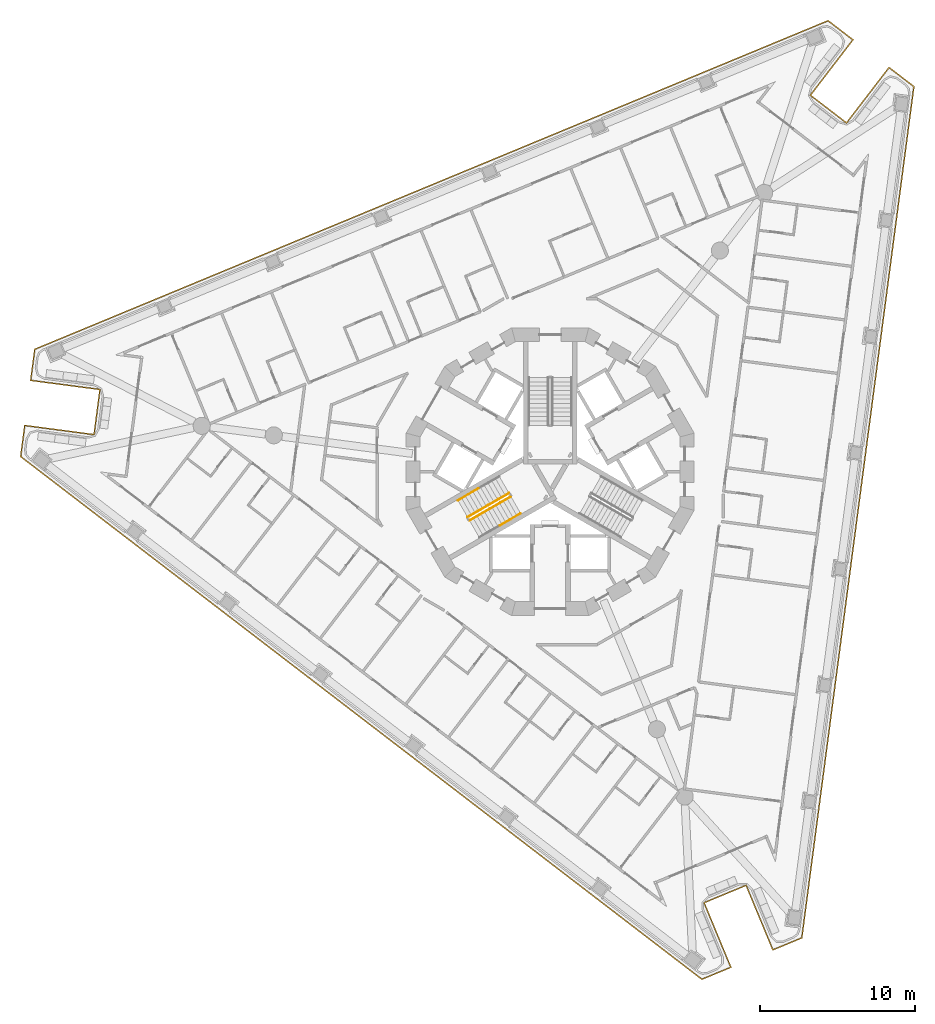
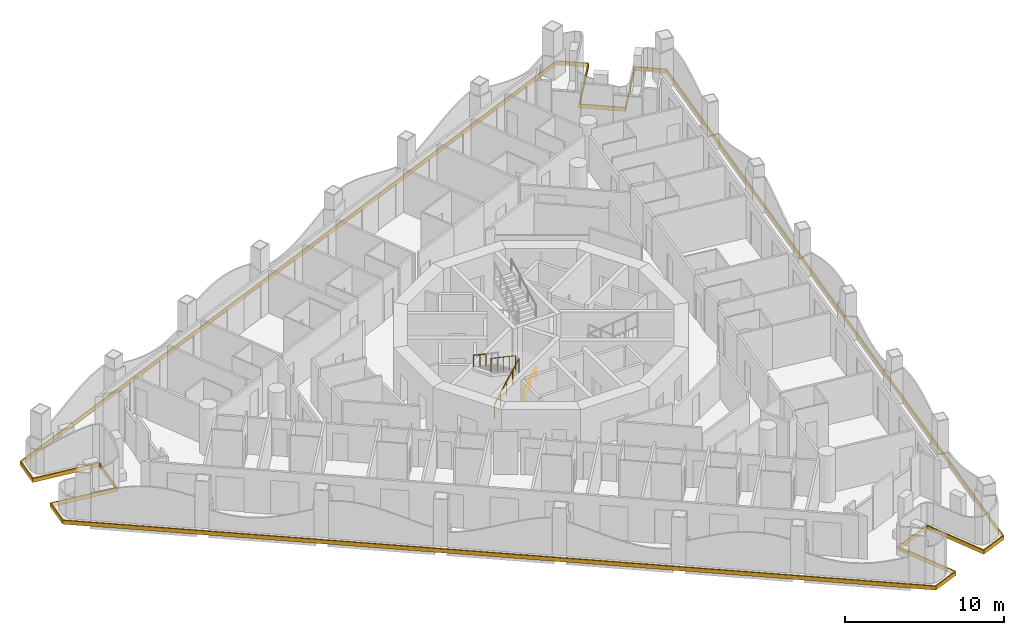
# One storey, part 13 of 18: 4 railings, 1 covering.
"""IFC4 building model written with IfcOpenShell, lengths in metres."""

import ifcopenshell
import ifcopenshell.guid

model = None  # the IFC model being written
_history = None  # IfcOwnerHistory: only IFC2X3 demands one
_inside = {}  # id of a spatial element -> (the spatial element, [elements in it])
_under = {}  # id of a project, library or spatial element -> (it, [spatial elements below it])
_declared = {}  # id of a project -> (the project, [libraries it declares])
_typed = {}  # id of a type object -> (the type object, [elements of that type])
_made_of = {}  # id of a material, layer set ... -> (it, [elements and type objects made of it])


def new_model(schema):
    """Start an empty IFC model of exactly this schema.

    Asked for "IFC4X3", IfcOpenShell would pick the latest addendum, in which some entities
    have other attributes; the version numbers below select the first issue.
    IFC2X3 requires an IfcOwnerHistory on every rooted entity: one is made here for all.
    """
    global model, _history
    if schema == "IFC4X3":
        model = ifcopenshell.file(schema_version=(4, 3, 0, 0))
    else:
        model = ifcopenshell.file(schema=schema)
    _inside.clear()
    _under.clear()
    _declared.clear()
    _typed.clear()
    _made_of.clear()
    _history = None
    if model.schema == "IFC2X3":
        org = make("IfcOrganization", Name="unknown")
        user = make(
            "IfcPersonAndOrganization",
            ThePerson=make("IfcPerson", FamilyName="unknown"),
            TheOrganization=org,
        )
        app = make(
            "IfcApplication",
            ApplicationDeveloper=org,
            Version="unknown",
            ApplicationFullName="unknown",
            ApplicationIdentifier="unknown",
        )
        _history = make(
            "IfcOwnerHistory",
            OwningUser=user,
            OwningApplication=app,
            ChangeAction="ADDED",
            CreationDate=0,
        )
    return model


def make(cls, **values):
    """One entity of the class cls with the attributes given. An attribute that is None is left unset."""
    return model.create_entity(
        cls, **{name: value for name, value in values.items() if value is not None}
    )


def rooted(cls, **values):
    """An entity with a GlobalId (a new one), such as an element, a storey or a relation."""
    return make(cls, GlobalId=ifcopenshell.guid.new(), OwnerHistory=_history, **values)


def si_unit(unit_type, name, prefix=None):
    """IfcSIUnit, for example si_unit("LENGTHUNIT", "METRE", prefix="MILLI")."""
    return make("IfcSIUnit", UnitType=unit_type, Prefix=prefix, Name=name)


def assignment(units):
    """IfcUnitAssignment: the units of a project."""
    return None if units is None else make("IfcUnitAssignment", Units=units)


def point(xyz):
    """IfcCartesianPoint."""
    return None if xyz is None else make("IfcCartesianPoint", Coordinates=xyz)


def direction(xyz):
    """IfcDirection."""
    return None if xyz is None else make("IfcDirection", DirectionRatios=xyz)


def frame(location, z_axis=None, x_axis=None):
    """IfcAxis2Placement3D, a coordinate frame: its origin and axes. An axis left out is left unset."""
    return make(
        "IfcAxis2Placement3D",
        Location=point(location),
        Axis=direction(z_axis),
        RefDirection=direction(x_axis),
    )


def frame_2d(location, x_axis=None):
    """IfcAxis2Placement2D, a coordinate frame in the plane: its origin and x axis."""
    return make(
        "IfcAxis2Placement2D", Location=point(location), RefDirection=direction(x_axis)
    )


def origin():
    """The frame at (0, 0, 0) with its axes left unset."""
    return frame((0.0, 0.0, 0.0))


def origin_2d():
    """The frame at (0, 0) in the plane with its x axis left unset."""
    return frame_2d((0.0, 0.0))


def place(relative_to, where):
    """IfcLocalPlacement: puts the frame where relative to a parent placement (None: the world)."""
    return make(
        "IfcLocalPlacement", PlacementRelTo=relative_to, RelativePlacement=where
    )


def context(
    kind, dimensions, precision=None, world=None, true_north=None, identifier=None
):
    """IfcGeometricRepresentationContext, for example the 3D "Model" context."""
    return make(
        "IfcGeometricRepresentationContext",
        ContextIdentifier=identifier,
        ContextType=kind,
        CoordinateSpaceDimension=dimensions,
        Precision=precision,
        WorldCoordinateSystem=world,
        TrueNorth=true_north,
    )


def subcontext(parent, identifier, kind, view, scale=None):
    """IfcGeometricRepresentationSubContext, for example "Body" below "Model"."""
    return make(
        "IfcGeometricRepresentationSubContext",
        ContextIdentifier=identifier,
        ContextType=kind,
        ParentContext=parent,
        TargetScale=scale,
        TargetView=view,
    )


def project(units=None, contexts=None):
    """IfcProject with its units and contexts."""
    return rooted(
        "IfcProject",
        Name="project",
        RepresentationContexts=contexts,
        UnitsInContext=assignment(units),
    )


def spatial(cls, under=None, at=None, **own):
    """A site, building, storey or space (cls), placed at a placement, below another one or the project."""
    s = rooted(cls, ObjectPlacement=at, **own)
    if under is not None:
        _under.setdefault(under.id(), (under, []))[1].append(s)
    return s


def polyline(points):
    """IfcPolyline through the points."""
    return make("IfcPolyline", Points=[point(p) for p in points])


def profile(cls, at=None, kind="AREA", **sizes):
    """A parametric profile (cls). Its sizes go by their IFC names, for example OverallWidth=200.0."""
    return make(cls, ProfileType=kind, Position=at, **sizes)


def circle(**sizes):
    """IfcCircleProfileDef."""
    return profile("IfcCircleProfileDef", **sizes)


def outline(outer, holes=None, kind="AREA"):
    """IfcArbitraryClosedProfileDef: a profile drawn as a closed curve; with holes, ...WithVoids."""
    if holes is None:
        return make("IfcArbitraryClosedProfileDef", ProfileType=kind, OuterCurve=outer)
    return make(
        "IfcArbitraryProfileDefWithVoids",
        ProfileType=kind,
        OuterCurve=outer,
        InnerCurves=holes,
    )


def extrude(swept, where, along, depth):
    """IfcExtrudedAreaSolid: the profile swept, set in the frame where, extruded along a direction by depth."""
    return make(
        "IfcExtrudedAreaSolid",
        SweptArea=swept,
        Position=where,
        ExtrudedDirection=direction(along),
        Depth=depth,
    )


def shape(context_of_items, identifier, shape_type, items):
    """IfcShapeRepresentation: the items that make up one representation, for example the "Body"."""
    return make(
        "IfcShapeRepresentation",
        ContextOfItems=context_of_items,
        RepresentationIdentifier=identifier,
        RepresentationType=shape_type,
        Items=items,
    )


def material(Name=None, Category=None):
    """IfcMaterial."""
    return make("IfcMaterial", Name=Name, Category=Category)


def layer(
    of_material, thickness, ventilated=None, Name=None, Category=None, Priority=None
):
    """IfcMaterialLayer: one layer of a wall or slab, of a material (None: an air gap)."""
    return make(
        "IfcMaterialLayer",
        Material=of_material,
        LayerThickness=thickness,
        IsVentilated=ventilated,
        Name=Name,
        Category=Category,
        Priority=Priority,
    )


def layer_set(layers, Name=None):
    """IfcMaterialLayerSet."""
    return make("IfcMaterialLayerSet", MaterialLayers=layers, LayerSetName=Name)


def made_of(thing, what):
    """Note that an element or type object is made of a material, layer set ...; save() writes the relation."""
    if what is not None:
        _made_of.setdefault(what.id(), (what, []))[1].append(thing)
    return thing


def type_object(cls, material=None, **own):
    """A type object (cls), such as IfcWallType, which elements share."""
    return made_of(rooted(cls, **own), material)


def element(
    cls,
    number,
    at=None,
    inside=None,
    cuts=None,
    type_object=None,
    material=None,
    context=None,
    identifier="Body",
    shape_type=None,
    held_by="IfcProductDefinitionShape",
    body=None,
    shapes=None,
    **own,
):
    """One element of the class cls, such as IfcWall. Its Tag is "e" and its number.

    at: its placement. inside: the storey or other place that contains it. cuts: it is an
    opening in that element (IfcRelVoidsElement). A single representation is given by context,
    identifier, shape_type and body (its items); several are given by shapes. held_by: the class
    of the entity that holds the representations. save() writes the other relations.
    """
    e = rooted(cls, Tag="e%d" % number, ObjectPlacement=at, **own)
    if body is not None:
        shapes = [shape(context, identifier, shape_type, body)]
    if shapes is not None:
        e.Representation = make(held_by, Representations=shapes)
    if inside is not None:
        _inside.setdefault(inside.id(), (inside, []))[1].append(e)
    if cuts is not None:
        rooted(
            "IfcRelVoidsElement", RelatingBuildingElement=cuts, RelatedOpeningElement=e
        )
    if type_object is not None:
        _typed.setdefault(type_object.id(), (type_object, []))[1].append(e)
    return made_of(e, material)


def aggregate(whole, parts):
    """IfcRelAggregates: a whole, such as a stair, and the parts it consists of."""
    return rooted("IfcRelAggregates", RelatingObject=whole, RelatedObjects=parts)


def save(model, path):
    """Write the relations noted so far, then the file.

    IfcRelAggregates (storeys below a building ...), IfcRelContainedInSpatialStructure (elements
    in a storey), IfcRelDefinesByType, IfcRelAssociatesMaterial and IfcRelDeclares: one each for
    every whole, place, type object, material and project.
    """
    for whole, parts in _under.values():
        aggregate(whole, parts)
    for where, things in _inside.values():
        rooted(
            "IfcRelContainedInSpatialStructure",
            RelatedElements=things,
            RelatingStructure=where,
        )
    for kind, things in _typed.values():
        rooted("IfcRelDefinesByType", RelatedObjects=things, RelatingType=kind)
    for what, things in _made_of.values():
        rooted("IfcRelAssociatesMaterial", RelatedObjects=things, RelatingMaterial=what)
    for by, libraries in _declared.values():
        rooted("IfcRelDeclares", RelatingContext=by, RelatedDefinitions=libraries)
    model.write(path)


model = new_model("IFC4")

# Units and contexts
model_context = context("Model", 3, precision=1e-05, world=origin(), true_north=direction((0.0, 1.0)))
body_context = subcontext(model_context, "Body", "Model", "MODEL_VIEW")
ifc_project = project(units=[si_unit("LENGTHUNIT", "METRE"), si_unit("AREAUNIT", "SQUARE_METRE"), si_unit("VOLUMEUNIT", "CUBIC_METRE"), si_unit("PLANEANGLEUNIT", "RADIAN"), si_unit("MASSUNIT", "GRAM", prefix="KILO")], contexts=[model_context])

# Site, building, storey
site_placement = place(None, origin())
site = spatial("IfcSite", under=ifc_project, at=site_placement, CompositionType="ELEMENT")
building_placement = place(site_placement, origin())
building = spatial("IfcBuilding", under=site, at=building_placement, Name="Trine Commons Tower", CompositionType="ELEMENT")
storey_placement = place(building_placement, frame((0.0, 0.0, 145.800048828125)))
storey = spatial("IfcBuildingStorey", under=building, at=storey_placement, Name="L37", CompositionType="ELEMENT", Elevation=145.800048828125)

# Covering
ifc_material_1 = material(Name="Limestone, honed", Category="masonry")
ifc_layer = layer(ifc_material_1, 0.074951171875)
ifc_layer_set = layer_set([ifc_layer], Name="Limestone, honed")
covering_type = type_object("IfcCoveringType", Name="Limestone spandrel panel 75", PredefinedType="CLADDING", material=ifc_layer_set)
covering_placement = place(storey_placement, frame((0.0, 0.0, -0.300048828125)))
element("IfcCovering", 1, at=covering_placement, inside=storey, type_object=covering_type, Name="Limestone spandrel panel 4-01", PredefinedType="CLADDING", context=body_context, shape_type="SweptSolid", body=[
    extrude(outline(polyline([(92.5986328125, 35.80810546875), (94.32080078125, 31.650634765625), (96.24462890625, 32.447509765625), (103.46923828125, 87.32421875), (101.817138671875, 88.591796875), (99.07763671875, 85.021728515625), (96.816650390625, 86.756591796875), (99.55615234375, 90.326904296875), (97.904052734375, 91.594482421875), (46.76708984375, 70.412841796875), (46.495361328125, 68.348388671875), (50.956787109375, 67.760986328125), (50.584716796875, 64.935302734375), (46.123291015625, 65.522705078125), (45.8515625, 63.4580078125), (89.763671875, 29.762939453125), (91.6875, 30.559814453125), (89.965576171875, 34.71728515625), (92.5986328125, 35.80810546875)]), holes=[polyline([(101.8310546875, 88.48681640625), (103.38916015625, 87.291015625), (96.17578125, 32.500244140625), (94.361328125, 31.74853515625), (92.63916015625, 35.906005859375), (89.867431640625, 34.758056640625), (91.589599609375, 30.6005859375), (89.77490234375, 29.848876953125), (45.931396484375, 63.4912109375), (46.187744140625, 65.4384765625), (50.6494140625, 64.85107421875), (51.041015625, 67.825439453125), (46.579345703125, 68.412841796875), (46.835693359375, 70.360107421875), (97.892578125, 91.508544921875), (99.450927734375, 90.31298828125), (96.71142578125, 86.742919921875), (99.091552734375, 84.91650390625), (101.8310546875, 88.48681640625)])]), origin(), (0.0, 0.0, 1.0), 0.300048828125),
])

# Railings
ifc_material_2 = material(Name="Stainless steel balustrade", Category="steel")
railing_type_1 = type_object("IfcRailingType", Name="Stair guard, steel balustrade 1100", PredefinedType="GUARDRAIL", material=ifc_material_2)
railing_1_placement = place(storey_placement, frame((74.80517578125, 59.3564453125, 0.14990234375)))
element("IfcRailing", 2, at=railing_1_placement, inside=storey, type_object=railing_type_1, Name="L37 ST2B stair guard 1", PredefinedType="GUARDRAIL", context=body_context, shape_type="SweptSolid", body=[
    extrude(circle(Radius=0.02392578125, at=origin_2d()), frame((0.0, 0.0, 1.076171875), z_axis=(0.763379768245, 0.440728498818, 0.472239049384), x_axis=(-0.499992328818, 0.866029832698, 0.0)), (0.0, 0.0, 1.0), 3.494384765625),
    extrude(circle(Radius=0.02099609375, at=origin_2d()), origin(), (0.0, 0.0, 1.0), 1.052001953125),
    extrude(circle(Radius=0.02099609375, at=origin_2d()), frame((0.6669921875, 0.385009765625, 0.41259765625)), (0.0, 0.0, 1.0), 1.052001953125),
    extrude(circle(Radius=0.02099609375, at=origin_2d()), frame((1.333740234375, 0.77001953125, 0.8251953125)), (0.0, 0.0, 1.0), 1.052001953125),
    extrude(circle(Radius=0.02099609375, at=origin_2d()), frame((2.00048828125, 1.155029296875, 1.237548828125)), (0.0, 0.0, 1.0), 1.052001953125),
    extrude(circle(Radius=0.02099609375, at=origin_2d()), frame((2.66748046875, 1.5400390625, 1.650146484375)), (0.0, 0.0, 1.0), 1.052001953125),
])
railing_2_placement = place(storey_placement, frame((77.34765625, 61.113037109375, 1.949951171875)))
element("IfcRailing", 3, at=railing_2_placement, inside=storey, type_object=railing_type_1, Name="L37 ST2B stair guard 3", PredefinedType="GUARDRAIL", context=body_context, shape_type="SweptSolid", body=[
    extrude(circle(Radius=0.02392578125, at=origin_2d()), frame((0.0, 0.0, 1.076171875), z_axis=(-0.76340495495, -0.440743040072, 0.472184759798), x_axis=(0.499992328818, -0.866029832698, 0.0)), (0.0, 0.0, 1.0), 3.494140625),
    extrude(circle(Radius=0.02099609375, at=origin_2d()), origin(), (0.0, 0.0, 1.0), 1.052001953125),
    extrude(circle(Radius=0.02099609375, at=origin_2d()), frame((-0.6669921875, -0.385009765625, 0.41259765625)), (0.0, 0.0, 1.0), 1.052001953125),
    extrude(circle(Radius=0.02099609375, at=origin_2d()), frame((-1.333740234375, -0.77001953125, 0.824951171875)), (0.0, 0.0, 1.0), 1.052001953125),
    extrude(circle(Radius=0.02099609375, at=origin_2d()), frame((-2.00048828125, -1.155029296875, 1.2373046875)), (0.0, 0.0, 1.0), 1.052001953125),
    extrude(circle(Radius=0.02099609375, at=origin_2d()), frame((-2.66748046875, -1.5400390625, 1.64990234375)), (0.0, 0.0, 1.0), 1.052001953125),
])
ifc_material_3 = material(Name="Stainless steel handrail", Category="steel")
railing_type_2 = type_object("IfcRailingType", Name="Stair handrail, steel 900", PredefinedType="HANDRAIL", material=ifc_material_3)
railing_3_placement = place(storey_placement, frame((76.763916015625, 59.0439453125, 0.974853515625)))
element("IfcRailing", 4, at=railing_3_placement, inside=storey, type_object=railing_type_2, Name="L37 ST2B stair handrail 2", PredefinedType="HANDRAIL", context=body_context, shape_type="SweptSolid", body=[
    extrude(circle(Radius=0.02099609375, at=origin_2d()), frame((0.0, 0.0, 0.87890625), z_axis=(0.763354580307, 0.440713956853, 0.472293333596), x_axis=(-0.499992328818, 0.866029832698, 0.0)), (0.0, 0.0, 1.0), 1.747314453125),
    extrude(circle(Radius=0.01513671875, at=origin_2d()), origin(), (0.0, 0.0, 1.0), 0.85791015625),
    extrude(circle(Radius=0.01513671875, at=origin_2d()), frame((0.6669921875, 0.385009765625, 0.41259765625)), (0.0, 0.0, 1.0), 0.85791015625),
    extrude(circle(Radius=0.01513671875, at=origin_2d()), frame((1.333740234375, 0.77001953125, 0.8251953125)), (0.0, 0.0, 1.0), 0.85791015625),
])
railing_4_placement = place(storey_placement, frame((75.388916015625, 61.425537109375, 2.77490234375)))
element("IfcRailing", 5, at=railing_4_placement, inside=storey, type_object=railing_type_2, Name="L37 ST2B stair handrail 4", PredefinedType="HANDRAIL", context=body_context, shape_type="SweptSolid", body=[
    extrude(circle(Radius=0.02099609375, at=origin_2d()), frame((0.0, 0.0, 0.87890625), z_axis=(-0.76340495495, -0.440743040072, 0.472184759798), x_axis=(0.499992328818, -0.866029832698, 0.0)), (0.0, 0.0, 1.0), 1.7470703125),
    extrude(circle(Radius=0.01513671875, at=origin_2d()), origin(), (0.0, 0.0, 1.0), 0.85791015625),
    extrude(circle(Radius=0.01513671875, at=origin_2d()), frame((-0.6669921875, -0.385009765625, 0.41259765625)), (0.0, 0.0, 1.0), 0.85791015625),
    extrude(circle(Radius=0.01513671875, at=origin_2d()), frame((-1.333740234375, -0.77001953125, 0.824951171875)), (0.0, 0.0, 1.0), 0.85791015625),
])

save(model, "model.ifc")
